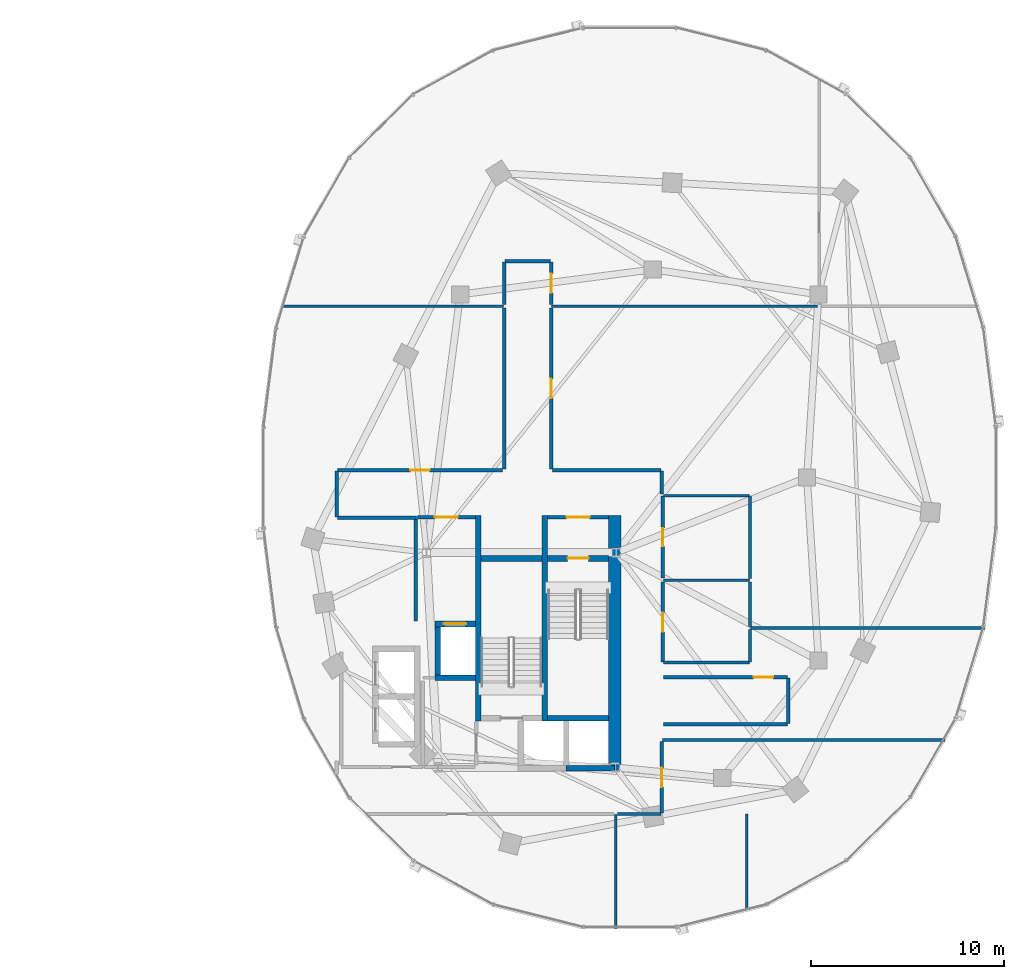
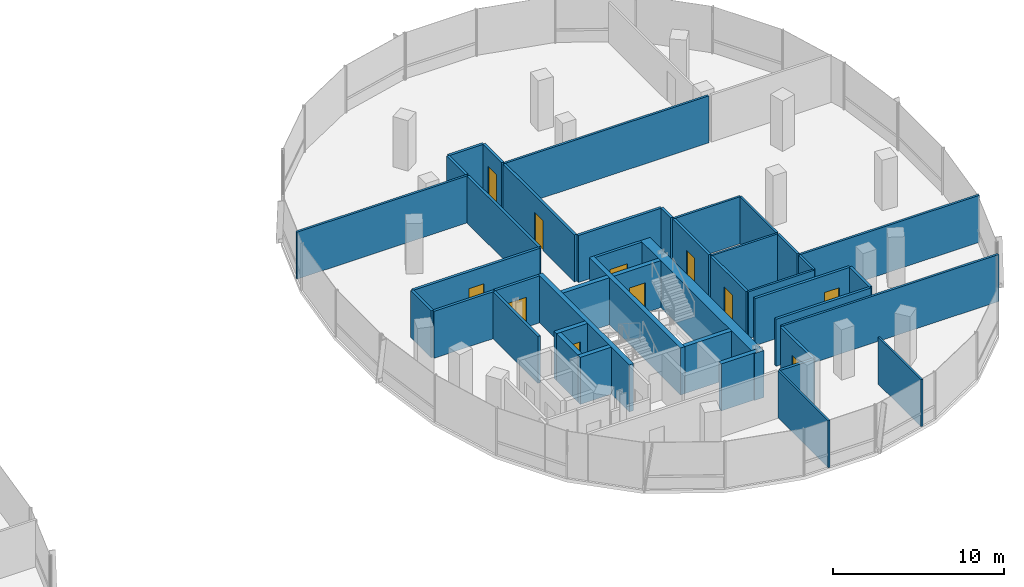
# One storey, part 14 of 22: 42 walls, 11 doors, 11 openings.
"""IFC4 building model written with IfcOpenShell, lengths in metres."""

from ifc_helpers import new_model, si_unit, direction, frame, frame_2d, origin, place, context, subcontext, project, spatial, rectangle, extrude, material, layer, layer_set, type_object, element, fill, save


model = new_model("IFC4")

# Units and contexts
model_context = context("Model", 3, precision=1e-05, world=origin(), true_north=direction((0.0, 1.0)))
body_context = subcontext(model_context, "Body", "Model", "MODEL_VIEW")
ifc_project = project(units=[si_unit("LENGTHUNIT", "METRE"), si_unit("AREAUNIT", "SQUARE_METRE"), si_unit("VOLUMEUNIT", "CUBIC_METRE"), si_unit("PLANEANGLEUNIT", "RADIAN"), si_unit("MASSUNIT", "GRAM", prefix="KILO"), si_unit("THERMODYNAMICTEMPERATUREUNIT", "KELVIN"), si_unit("POWERUNIT", "WATT")], contexts=[model_context])

# Site, building, storey
site_placement = place(None, origin())
site = spatial("IfcSite", under=ifc_project, at=site_placement, CompositionType="ELEMENT")
building_placement = place(site_placement, origin())
building = spatial("IfcBuilding", under=site, at=building_placement, Name="Cundina Bronze Exchange", CompositionType="ELEMENT")
storey_placement = place(building_placement, frame((0.0, 0.0, 165.60009765625)))
storey = spatial("IfcBuildingStorey", under=building, at=storey_placement, Name="L43", CompositionType="ELEMENT", Elevation=165.60009765625)

# Wall
ifc_material_1 = material(Name="Gypsum Fireboard Partition EI120")
ifc_layer_1 = layer(ifc_material_1, 0.179931640625, Name="Gypsum Fireboard Partition EI120")
ifc_layer_set_1 = layer_set([ifc_layer_1], Name="Gypsum Fireboard Partition EI120")
wall_type_1 = type_object("IfcWallType", Name="WL-COR-180", PredefinedType="PARTITIONING", material=ifc_layer_set_1)
wall_1_placement = place(storey_placement, frame((20.889892578125, -7.449951171875, 0.0), z_axis=(0.0, 0.0, 1.0), x_axis=(0.0, 1.0, 0.0)))
element("IfcWall", 1, at=wall_1_placement, inside=storey, type_object=wall_type_1, Name="L43 E Firefighting Lobby Side Wall", PredefinedType="PARTITIONING", context=body_context, shape_type="SweptSolid", body=[
    extrude(rectangle(XDim=5.300048828125, YDim=0.179931640625, at=frame_2d((2.64990234375, 0.0))), origin(), (0.0, 0.0, 1.0), 3.35986328125),
])

# Wall, opening, door
wall_2_placement = place(storey_placement, frame((20.97998046875, -2.06005859375, 0.0), z_axis=(0.0, 0.0, 1.0), x_axis=(1.0, 0.0, 0.0)))
wall_2 = element("IfcWall", 2, at=wall_2_placement, inside=storey, type_object=wall_type_1, Name="L43 E Firefighting Lobby Exit Wall", PredefinedType="PARTITIONING", context=body_context, shape_type="SweptSolid", body=[
    extrude(rectangle(XDim=3.0, YDim=0.179931640625, at=frame_2d((1.5, 0.0))), origin(), (0.0, 0.0, 1.0), 3.35986328125),
])
opening_1_placement = place(wall_2_placement, frame((0.89990234375, 0.0, 0.0)))
opening_1 = element("IfcOpeningElement", 3, at=opening_1_placement, cuts=wall_2, Name="Opening DF-01", PredefinedType="OPENING", context=body_context, shape_type="SweptSolid", body=[
    extrude(rectangle(XDim=1.199951171875, YDim=2.14990234375, at=frame_2d((0.60009765625, 1.074951171875))), frame((0.0, 0.099853515625, 0.0), z_axis=(0.0, -1.0, 0.0), x_axis=(1.0, 0.0, 0.0)), (0.0, 0.0, 1.0), 0.199951171875),
])
ifc_material_2 = material(Name="Steel ASTM A36 Painted", Category="steel")
door_type_1 = type_object("IfcDoorType", Name="DR-FFL-1200", OperationType="NOTDEFINED", PredefinedType="DOOR", material=ifc_material_2)
door_1_placement = place(opening_1_placement, origin())
door_1 = element("IfcDoor", 4, at=door_1_placement, inside=storey, type_object=door_type_1, Name="L43 E Firefighting Lobby Door", OperationType="SINGLE_SWING_LEFT", OverallHeight=2.14990234375, OverallWidth=1.199951171875, PredefinedType="DOOR", context=body_context, shape_type="SweptSolid", body=[
    extrude(rectangle(XDim=1.199951171875, YDim=2.14990234375, at=frame_2d((0.60009765625, 1.074951171875))), frame((0.0, 0.02490234375, 0.0), z_axis=(0.0, -1.0, 0.0), x_axis=(1.0, 0.0, 0.0)), (0.0, 0.0, 1.0), 0.050048828125),
])
fill(opening_1, door_1)

wall_3_placement = place(storey_placement, frame((27.739990234375, -2.06005859375, 0.0), z_axis=(0.0, 0.0, 1.0), x_axis=(1.0, 0.0, 0.0)))
wall_3 = element("IfcWall", 5, at=wall_3_placement, inside=storey, type_object=wall_type_1, Name="L43 E Stair Vestibule Exit Wall", PredefinedType="PARTITIONING", context=body_context, shape_type="SweptSolid", body=[
    extrude(rectangle(XDim=3.159912109375, YDim=0.179931640625, at=frame_2d((1.580078125, 0.0))), origin(), (0.0, 0.0, 1.0), 3.35986328125),
])
opening_2_placement = place(wall_3_placement, frame((0.97998046875, 0.0, 0.0)))
opening_2 = element("IfcOpeningElement", 6, at=opening_2_placement, cuts=wall_3, Name="Opening DF-01", PredefinedType="OPENING", context=body_context, shape_type="SweptSolid", body=[
    extrude(rectangle(XDim=1.199951171875, YDim=2.14990234375, at=frame_2d((0.60009765625, 1.074951171875))), frame((0.0, 0.099853515625, 0.0), z_axis=(0.0, -1.0, 0.0), x_axis=(1.0, 0.0, 0.0)), (0.0, 0.0, 1.0), 0.199951171875),
])
door_2_placement = place(opening_2_placement, origin())
door_2 = element("IfcDoor", 7, at=door_2_placement, inside=storey, type_object=door_type_1, Name="L43 E Stair Vestibule Door", OperationType="SINGLE_SWING_RIGHT", OverallHeight=2.14990234375, OverallWidth=1.199951171875, PredefinedType="DOOR", context=body_context, shape_type="SweptSolid", body=[
    extrude(rectangle(XDim=1.199951171875, YDim=2.14990234375, at=frame_2d((0.60009765625, 1.074951171875))), frame((0.0, 0.02490234375, 0.0), z_axis=(0.0, -1.0, 0.0), x_axis=(1.0, 0.0, 0.0)), (0.0, 0.0, 1.0), 0.050048828125),
])
fill(opening_2, door_2)

wall_4_placement = place(storey_placement, frame((33.719970703125, -5.22998046875, 0.0), z_axis=(0.0, 0.0, 1.0), x_axis=(0.0, 1.0, 0.0)))
wall_4 = element("IfcWall", 8, at=wall_4_placement, inside=storey, type_object=wall_type_1, Name="L43 Interior Partition 055", PredefinedType="PARTITIONING", context=body_context, shape_type="SweptSolid", body=[
    extrude(rectangle(XDim=4.260009765625, YDim=0.179931640625, at=frame_2d((2.1298828125, 0.0))), origin(), (0.0, 0.0, 1.0), 3.35986328125),
])
opening_3_placement = place(wall_4_placement, frame((1.655029296875, 0.0, 0.0)))
opening_3 = element("IfcOpeningElement", 9, at=opening_3_placement, cuts=wall_4, Name="Opening DW-01", PredefinedType="OPENING", context=body_context, shape_type="SweptSolid", body=[
    extrude(rectangle(XDim=0.949951171875, YDim=2.10009765625, at=frame_2d((0.47509765625, 1.050048828125))), frame((0.0, 0.099853515625, 0.0), z_axis=(0.0, -1.0, 0.0), x_axis=(1.0, 0.0, 0.0)), (0.0, 0.0, 1.0), 0.199951171875),
])
ifc_material_3 = material(Name="Solid Andean Oak Timber Grade A", Category="wood")
door_type_2 = type_object("IfcDoorType", Name="DR-WC-950", OperationType="NOTDEFINED", PredefinedType="DOOR", material=ifc_material_3)
door_3_placement = place(opening_3_placement, origin())
door_3 = element("IfcDoor", 10, at=door_3_placement, inside=storey, type_object=door_type_2, Name="L43 Interior Door 055", OperationType="SINGLE_SWING_LEFT", OverallHeight=2.10009765625, OverallWidth=0.949951171875, PredefinedType="DOOR", context=body_context, shape_type="SweptSolid", body=[
    extrude(rectangle(XDim=0.949951171875, YDim=2.10009765625, at=frame_2d((0.47509765625, 1.050048828125))), frame((0.0, 0.02490234375, 0.0), z_axis=(0.0, -1.0, 0.0), x_axis=(1.0, 0.0, 0.0)), (0.0, 0.0, 1.0), 0.050048828125),
])
fill(opening_3, door_3)

wall_5_placement = place(storey_placement, frame((33.719970703125, -9.590087890625, 0.0), z_axis=(0.0, 0.0, 1.0), x_axis=(0.0, 1.0, 0.0)))
wall_5 = element("IfcWall", 11, at=wall_5_placement, inside=storey, type_object=wall_type_1, Name="L43 Interior Partition 056", PredefinedType="PARTITIONING", context=body_context, shape_type="SweptSolid", body=[
    extrude(rectangle(XDim=4.16015625, YDim=0.179931640625, at=frame_2d((2.080078125, 0.0))), origin(), (0.0, 0.0, 1.0), 3.35986328125),
])
opening_4_placement = place(wall_5_placement, frame((1.580078125, 0.0, 0.0)))
opening_4 = element("IfcOpeningElement", 12, at=opening_4_placement, cuts=wall_5, Name="Opening DO-01", PredefinedType="OPENING", context=body_context, shape_type="SweptSolid", body=[
    extrude(rectangle(XDim=1.0, YDim=2.14990234375, at=frame_2d((0.5, 1.074951171875))), frame((0.0, 0.099853515625, 0.0), z_axis=(0.0, -1.0, 0.0), x_axis=(1.0, 0.0, 0.0)), (0.0, 0.0, 1.0), 0.199951171875),
])
door_type_3 = type_object("IfcDoorType", Name="DR-OFF-1000", OperationType="NOTDEFINED", PredefinedType="DOOR", material=ifc_material_3)
door_4_placement = place(opening_4_placement, origin())
door_4 = element("IfcDoor", 13, at=door_4_placement, inside=storey, type_object=door_type_3, Name="L43 Interior Door 056", OperationType="SINGLE_SWING_LEFT", OverallHeight=2.14990234375, OverallWidth=1.0, PredefinedType="DOOR", context=body_context, shape_type="SweptSolid", body=[
    extrude(rectangle(XDim=1.0, YDim=2.14990234375, at=frame_2d((0.5, 1.074951171875))), frame((0.0, 0.02490234375, 0.0), z_axis=(0.0, -1.0, 0.0), x_axis=(1.0, 0.0, 0.0)), (0.0, 0.0, 1.0), 0.050048828125),
])
fill(opening_4, door_4)

wall_6_placement = place(storey_placement, frame((33.669921875, -17.428466796875, 0.0), z_axis=(0.0, 0.0, 1.0), x_axis=(0.0, 1.0, 0.0)))
wall_6 = element("IfcWall", 14, at=wall_6_placement, inside=storey, type_object=wall_type_1, Name="L43 Interior Partition 065", PredefinedType="PARTITIONING", context=body_context, shape_type="SweptSolid", body=[
    extrude(rectangle(XDim=3.718505859375, YDim=0.179931640625, at=frame_2d((1.859375, 0.0))), origin(), (0.0, 0.0, 1.0), 3.35986328125),
])
opening_5_placement = place(wall_6_placement, frame((1.359130859375, 0.0, 0.0)))
opening_5 = element("IfcOpeningElement", 15, at=opening_5_placement, cuts=wall_6, Name="Opening DO-01", PredefinedType="OPENING", context=body_context, shape_type="SweptSolid", body=[
    extrude(rectangle(XDim=1.0, YDim=2.14990234375, at=frame_2d((0.5, 1.074951171875))), frame((0.0, 0.099853515625, 0.0), z_axis=(0.0, -1.0, 0.0), x_axis=(1.0, 0.0, 0.0)), (0.0, 0.0, 1.0), 0.199951171875),
])
door_5_placement = place(opening_5_placement, origin())
door_5 = element("IfcDoor", 16, at=door_5_placement, inside=storey, type_object=door_type_3, Name="L43 Interior Door 065", OperationType="SINGLE_SWING_RIGHT", OverallHeight=2.14990234375, OverallWidth=1.0, PredefinedType="DOOR", context=body_context, shape_type="SweptSolid", body=[
    extrude(rectangle(XDim=1.0, YDim=2.14990234375, at=frame_2d((0.5, 1.074951171875))), frame((0.0, 0.02490234375, 0.0), z_axis=(0.0, -1.0, 0.0), x_axis=(1.0, 0.0, 0.0)), (0.0, 0.0, 1.0), 0.050048828125),
])
fill(opening_5, door_5)

# Walls
wall_7_placement = place(storey_placement, frame((31.3701171875, -17.469970703125, 0.0), z_axis=(0.0, 0.0, 1.0), x_axis=(1.0, 0.0, 0.0)))
element("IfcWall", 17, at=wall_7_placement, inside=storey, type_object=wall_type_1, Name="L43 Interior Partition 066", PredefinedType="PARTITIONING", context=body_context, shape_type="SweptSolid", body=[
    extrude(rectangle(XDim=2.25830078125, YDim=0.179931640625, at=frame_2d((1.129150390625, 0.0))), origin(), (0.0, 0.0, 1.0), 3.35986328125),
])
wall_8_placement = place(storey_placement, frame((33.75, -12.820068359375, 0.0), z_axis=(0.0, 0.0, 1.0), x_axis=(1.0, 0.0, 0.0)))
element("IfcWall", 18, at=wall_8_placement, inside=storey, type_object=wall_type_1, Name="L43 Interior Partition 067", PredefinedType="PARTITIONING", context=body_context, shape_type="SweptSolid", body=[
    extrude(rectangle(XDim=6.428466796875, YDim=0.179931640625, at=frame_2d((3.21435546875, 0.0))), origin(), (0.0, 0.0, 1.0), 3.35986328125),
])

# Wall, opening, door
wall_9_placement = place(storey_placement, frame((40.178466796875, -10.3798828125, 0.0), z_axis=(0.0, 0.0, 1.0), x_axis=(-1.0, 0.0, 0.0)))
wall_9 = element("IfcWall", 19, at=wall_9_placement, inside=storey, type_object=wall_type_1, Name="L43 Interior Partition 068", PredefinedType="PARTITIONING", context=body_context, shape_type="SweptSolid", body=[
    extrude(rectangle(XDim=6.428466796875, YDim=0.179931640625, at=frame_2d((3.21435546875, 0.0))), origin(), (0.0, 0.0, 1.0), 3.35986328125),
])
opening_6_placement = place(wall_9_placement, frame((0.74267578125, 0.0, 0.0)))
opening_6 = element("IfcOpeningElement", 20, at=opening_6_placement, cuts=wall_9, Name="Opening DO-01", PredefinedType="OPENING", context=body_context, shape_type="SweptSolid", body=[
    extrude(rectangle(XDim=1.0, YDim=2.14990234375, at=frame_2d((0.5, 1.074951171875))), frame((0.0, 0.099853515625, 0.0), z_axis=(0.0, -1.0, 0.0), x_axis=(1.0, 0.0, 0.0)), (0.0, 0.0, 1.0), 0.199951171875),
])
door_6_placement = place(opening_6_placement, origin())
door_6 = element("IfcDoor", 21, at=door_6_placement, inside=storey, type_object=door_type_3, Name="L43 Interior Door 068", OperationType="SINGLE_SWING_LEFT", OverallHeight=2.14990234375, OverallWidth=1.0, PredefinedType="DOOR", context=body_context, shape_type="SweptSolid", body=[
    extrude(rectangle(XDim=1.0, YDim=2.14990234375, at=frame_2d((0.5, 1.074951171875))), frame((0.0, 0.02490234375, 0.0), z_axis=(0.0, -1.0, 0.0), x_axis=(1.0, 0.0, 0.0)), (0.0, 0.0, 1.0), 0.050048828125),
])
fill(opening_6, door_6)

# Wall
wall_10_placement = place(storey_placement, frame((40.219970703125, -12.778564453125, 0.0), z_axis=(0.0, 0.0, 1.0), x_axis=(0.0, 1.0, 0.0)))
element("IfcWall", 22, at=wall_10_placement, inside=storey, type_object=wall_type_1, Name="L43 Interior Partition 069", PredefinedType="PARTITIONING", context=body_context, shape_type="SweptSolid", body=[
    extrude(rectangle(XDim=2.357177734375, YDim=0.179931640625, at=frame_2d((1.1787109375, 0.0))), origin(), (0.0, 0.0, 1.0), 3.35986328125),
])

# Wall, opening, door
wall_11_placement = place(storey_placement, frame((25.39990234375, 0.3701171875, 0.0), z_axis=(0.0, 0.0, 1.0), x_axis=(-1.0, 0.0, 0.0)))
wall_11 = element("IfcWall", 23, at=wall_11_placement, inside=storey, type_object=wall_type_1, Name="L43 Interior Partition 070", PredefinedType="PARTITIONING", context=body_context, shape_type="SweptSolid", body=[
    extrude(rectangle(XDim=8.578369140625, YDim=0.179931640625, at=frame_2d((4.2890625, 0.0))), origin(), (0.0, 0.0, 1.0), 3.35986328125),
])
opening_7_placement = place(wall_11_placement, frame((3.789306640625, 0.0, 0.0)))
opening_7 = element("IfcOpeningElement", 24, at=opening_7_placement, cuts=wall_11, Name="Opening DO-01", PredefinedType="OPENING", context=body_context, shape_type="SweptSolid", body=[
    extrude(rectangle(XDim=1.0, YDim=2.14990234375, at=frame_2d((0.5, 1.074951171875))), frame((0.0, 0.099853515625, 0.0), z_axis=(0.0, -1.0, 0.0), x_axis=(1.0, 0.0, 0.0)), (0.0, 0.0, 1.0), 0.199951171875),
])
door_7_placement = place(opening_7_placement, origin())
door_7 = element("IfcDoor", 25, at=door_7_placement, inside=storey, type_object=door_type_3, Name="L43 Interior Door 070", OperationType="SINGLE_SWING_RIGHT", OverallHeight=2.14990234375, OverallWidth=1.0, PredefinedType="DOOR", context=body_context, shape_type="SweptSolid", body=[
    extrude(rectangle(XDim=1.0, YDim=2.14990234375, at=frame_2d((0.5, 1.074951171875))), frame((0.0, 0.02490234375, 0.0), z_axis=(0.0, -1.0, 0.0), x_axis=(1.0, 0.0, 0.0)), (0.0, 0.0, 1.0), 0.050048828125),
])
fill(opening_7, door_7)

# Walls
wall_12_placement = place(storey_placement, frame((25.47998046875, 8.800048828125, 0.0), z_axis=(0.0, 0.0, 1.0), x_axis=(0.0, -1.0, 0.0)))
element("IfcWall", 26, at=wall_12_placement, inside=storey, type_object=wall_type_1, Name="L43 Interior Partition 071", PredefinedType="PARTITIONING", context=body_context, shape_type="SweptSolid", body=[
    extrude(rectangle(XDim=8.35009765625, YDim=0.179931640625, at=frame_2d((4.175048828125, 0.0))), origin(), (0.0, 0.0, 1.0), 3.35986328125),
])
wall_13_placement = place(storey_placement, frame((16.821533203125, -2.10009765625, 0.0), z_axis=(0.0, 0.0, 1.0), x_axis=(1.0, 0.0, 0.0)))
element("IfcWall", 27, at=wall_13_placement, inside=storey, type_object=wall_type_1, Name="L43 Interior Partition 072", PredefinedType="PARTITIONING", context=body_context, shape_type="SweptSolid", body=[
    extrude(rectangle(XDim=4.098388671875, YDim=0.179931640625, at=frame_2d((2.04931640625, 0.0))), origin(), (0.0, 0.0, 1.0), 3.35986328125),
])
wall_14_placement = place(storey_placement, frame((16.780029296875, 0.32861328125, 0.0), z_axis=(0.0, 0.0, 1.0), x_axis=(0.0, -1.0, 0.0)))
element("IfcWall", 28, at=wall_14_placement, inside=storey, type_object=wall_type_1, Name="L43 Interior Partition 073", PredefinedType="PARTITIONING", context=body_context, shape_type="SweptSolid", body=[
    extrude(rectangle(XDim=2.38720703125, YDim=0.179931640625, at=frame_2d((1.193603515625, 0.0))), origin(), (0.0, 0.0, 1.0), 3.35986328125),
])

# Wall, opening, door
wall_15_placement = place(storey_placement, frame((27.919921875, 0.449951171875, 0.0), z_axis=(0.0, 0.0, 1.0), x_axis=(0.0, 1.0, 0.0)))
wall_15 = element("IfcWall", 29, at=wall_15_placement, inside=storey, type_object=wall_type_1, Name="L43 Interior Partition 075", PredefinedType="PARTITIONING", context=body_context, shape_type="SweptSolid", body=[
    extrude(rectangle(XDim=8.35009765625, YDim=0.179931640625, at=frame_2d((4.175048828125, 0.0))), origin(), (0.0, 0.0, 1.0), 3.35986328125),
])
opening_8_placement = place(wall_15_placement, frame((3.675048828125, 0.0, 0.0)))
opening_8 = element("IfcOpeningElement", 30, at=opening_8_placement, cuts=wall_15, Name="Opening DO-01", PredefinedType="OPENING", context=body_context, shape_type="SweptSolid", body=[
    extrude(rectangle(XDim=1.0, YDim=2.14990234375, at=frame_2d((0.5, 1.074951171875))), frame((0.0, 0.099853515625, 0.0), z_axis=(0.0, -1.0, 0.0), x_axis=(1.0, 0.0, 0.0)), (0.0, 0.0, 1.0), 0.199951171875),
])
door_8_placement = place(opening_8_placement, origin())
door_8 = element("IfcDoor", 31, at=door_8_placement, inside=storey, type_object=door_type_3, Name="L43 Interior Door 075", OperationType="SINGLE_SWING_RIGHT", OverallHeight=2.14990234375, OverallWidth=1.0, PredefinedType="DOOR", context=body_context, shape_type="SweptSolid", body=[
    extrude(rectangle(XDim=1.0, YDim=2.14990234375, at=frame_2d((0.5, 1.074951171875))), frame((0.0, 0.02490234375, 0.0), z_axis=(0.0, -1.0, 0.0), x_axis=(1.0, 0.0, 0.0)), (0.0, 0.0, 1.0), 0.050048828125),
])
fill(opening_8, door_8)

# Walls
wall_16_placement = place(storey_placement, frame((33.62841796875, 0.3701171875, 0.0), z_axis=(0.0, 0.0, 1.0), x_axis=(-1.0, 0.0, 0.0)))
element("IfcWall", 32, at=wall_16_placement, inside=storey, type_object=wall_type_1, Name="L43 Interior Partition 076", PredefinedType="PARTITIONING", context=body_context, shape_type="SweptSolid", body=[
    extrude(rectangle(XDim=5.62841796875, YDim=0.179931640625, at=frame_2d((2.814208984375, 0.0))), origin(), (0.0, 0.0, 1.0), 3.35986328125),
])
wall_17_placement = place(storey_placement, frame((33.669921875, -0.858642578125, 0.0), z_axis=(0.0, 0.0, 1.0), x_axis=(0.0, 1.0, 0.0)))
element("IfcWall", 33, at=wall_17_placement, inside=storey, type_object=wall_type_1, Name="L43 Interior Partition 077", PredefinedType="PARTITIONING", context=body_context, shape_type="SweptSolid", body=[
    extrude(rectangle(XDim=1.187255859375, YDim=0.179931640625, at=frame_2d((0.59375, 0.0))), origin(), (0.0, 0.0, 1.0), 3.35986328125),
])
wall_18_placement = place(storey_placement, frame((27.87841796875, 11.219970703125, 0.0), z_axis=(0.0, 0.0, 1.0), x_axis=(-1.0, 0.0, 0.0)))
element("IfcWall", 34, at=wall_18_placement, inside=storey, type_object=wall_type_1, Name="L43 Interior Partition 078", PredefinedType="PARTITIONING", context=body_context, shape_type="SweptSolid", body=[
    extrude(rectangle(XDim=2.35693359375, YDim=0.179931640625, at=frame_2d((1.178466796875, 0.0))), origin(), (0.0, 0.0, 1.0), 3.35986328125),
])
wall_19_placement = place(storey_placement, frame((25.47998046875, 11.178466796875, 0.0), z_axis=(0.0, 0.0, 1.0), x_axis=(0.0, -1.0, 0.0)))
element("IfcWall", 35, at=wall_19_placement, inside=storey, type_object=wall_type_1, Name="L43 Interior Partition 079", PredefinedType="PARTITIONING", context=body_context, shape_type="SweptSolid", body=[
    extrude(rectangle(XDim=2.198486328125, YDim=0.179931640625, at=frame_2d((1.09912109375, 0.0))), origin(), (0.0, 0.0, 1.0), 3.35986328125),
])

# Wall, opening, door
wall_20_placement = place(storey_placement, frame((27.919921875, 8.97998046875, 0.0), z_axis=(0.0, 0.0, 1.0), x_axis=(0.0, 1.0, 0.0)))
wall_20 = element("IfcWall", 36, at=wall_20_placement, inside=storey, type_object=wall_type_1, Name="L43 Interior Partition 080", PredefinedType="PARTITIONING", context=body_context, shape_type="SweptSolid", body=[
    extrude(rectangle(XDim=2.198486328125, YDim=0.179931640625, at=frame_2d((1.09912109375, 0.0))), origin(), (0.0, 0.0, 1.0), 3.35986328125),
])
opening_9_placement = place(wall_20_placement, frame((0.59912109375, 0.0, 0.0)))
opening_9 = element("IfcOpeningElement", 37, at=opening_9_placement, cuts=wall_20, Name="Opening DO-01", PredefinedType="OPENING", context=body_context, shape_type="SweptSolid", body=[
    extrude(rectangle(XDim=1.0, YDim=2.14990234375, at=frame_2d((0.5, 1.074951171875))), frame((0.0, 0.099853515625, 0.0), z_axis=(0.0, -1.0, 0.0), x_axis=(1.0, 0.0, 0.0)), (0.0, 0.0, 1.0), 0.199951171875),
])
door_9_placement = place(opening_9_placement, origin())
door_9 = element("IfcDoor", 38, at=door_9_placement, inside=storey, type_object=door_type_3, Name="L43 Interior Door 080", OperationType="SINGLE_SWING_RIGHT", OverallHeight=2.14990234375, OverallWidth=1.0, PredefinedType="DOOR", context=body_context, shape_type="SweptSolid", body=[
    extrude(rectangle(XDim=1.0, YDim=2.14990234375, at=frame_2d((0.5, 1.074951171875))), frame((0.0, 0.02490234375, 0.0), z_axis=(0.0, -1.0, 0.0), x_axis=(1.0, 0.0, 0.0)), (0.0, 0.0, 1.0), 0.050048828125),
])
fill(opening_9, door_9)

# Walls
ifc_material_4 = material(Name="Concrete C50/60", Category="concrete")
ifc_layer_2 = layer(ifc_material_4, 0.64990234375, Name="Concrete C50/60", Category="concrete")
ifc_layer_set_2 = layer_set([ifc_layer_2], Name="Concrete C50/60")
wall_type_2 = type_object("IfcWallType", Name="WL-CORE-650", PredefinedType="SHEAR", material=ifc_layer_set_2)
wall_21_placement = place(storey_placement, frame((31.22509765625, -15.300048828125, 0.0), z_axis=(0.0, 0.0, 1.0), x_axis=(0.0, 1.0, 0.0)))
element("IfcWall", 39, at=wall_21_placement, inside=storey, type_object=wall_type_2, Name="L43 E Primary Core Shear Spine Wall", PredefinedType="SHEAR", context=body_context, shape_type="SweptSolid", body=[
    extrude(rectangle(XDim=13.330078125, YDim=0.64990234375, at=frame_2d((6.6650390625, 0.0))), origin(), (0.0, 0.0, 1.0), 3.35986328125),
])
ifc_material_5 = material(Name="Gypsum Acoustic Partition EI60")
ifc_layer_3 = layer(ifc_material_5, 0.125, Name="Gypsum Acoustic Partition EI60")
ifc_layer_set_3 = layer_set([ifc_layer_3], Name="Gypsum Acoustic Partition EI60")
wall_type_3 = type_object("IfcWallType", Name="WL-OFF-125", PredefinedType="PARTITIONING", material=ifc_layer_set_3)
wall_22_placement = place(storey_placement, frame((31.280029296875, -23.402099609375, 0.0), z_axis=(0.0, 0.0, 1.0), x_axis=(0.0, 1.0, 0.0)))
element("IfcWall", 40, at=wall_22_placement, inside=storey, type_object=wall_type_3, Name="L43 Interior Partition 062", PredefinedType="PARTITIONING", context=body_context, shape_type="SweptSolid", body=[
    extrude(rectangle(XDim=5.902099609375, YDim=0.125, at=frame_2d((2.951171875, 0.0))), origin(), (0.0, 0.0, 1.0), 3.35986328125),
])
wall_23_placement = place(storey_placement, frame((38.080078125, -22.4912109375, 0.0), z_axis=(0.0, 0.0, 1.0), x_axis=(0.0, 1.0, 0.0)))
element("IfcWall", 41, at=wall_23_placement, inside=storey, type_object=wall_type_3, Name="L43 Interior Partition 063", PredefinedType="PARTITIONING", context=body_context, shape_type="SweptSolid", body=[
    extrude(rectangle(XDim=5.021240234375, YDim=0.125, at=frame_2d((2.5107421875, 0.0))), origin(), (0.0, 0.0, 1.0), 3.35986328125),
])
ifc_layer_4 = layer(ifc_material_4, 0.300048828125, Name="Concrete C50/60", Category="concrete")
ifc_layer_set_4 = layer_set([ifc_layer_4], Name="Concrete C50/60")
wall_type_4 = type_object("IfcWallType", Name="WL-SHFT-300", PredefinedType="SHEAR", material=ifc_layer_set_4)
for number, where, z_axis, x_axis, name in (
    (42, (27.590087890625, -12.64990234375, 0.0), (0.0, 0.0, 1.0), (0.0, 1.0, 0.0), "L43 E Stair Shaft Dividing Shear Wall"),
    (43, (24.1298828125, -12.64990234375, 0.0), (0.0, 0.0, 1.0), (0.0, 1.0, 0.0), "L43 E Stair 2 East Shear Wall"),
):
    element("IfcWall", number, at=place(storey_placement, frame(where, z_axis=z_axis, x_axis=x_axis)), inside=storey, type_object=wall_type_4, Name=name, PredefinedType="SHEAR", context=body_context, shape_type="SweptSolid", body=[
        extrude(rectangle(XDim=10.679931640625, YDim=0.300048828125, at=frame_2d((5.33984375, 0.0))), origin(), (0.0, 0.0, 1.0), 3.35986328125),
    ])

# Wall, opening, door
wall_24_placement = place(storey_placement, frame((27.739990234375, -4.199951171875, 0.0), z_axis=(0.0, 0.0, 1.0), x_axis=(1.0, 0.0, 0.0)))
wall_24 = element("IfcWall", 44, at=wall_24_placement, inside=storey, type_object=wall_type_4, Name="L43 Stair E1 Landing Wall", PredefinedType="SHEAR", context=body_context, shape_type="SweptSolid", body=[
    extrude(rectangle(XDim=3.159912109375, YDim=0.300048828125, at=frame_2d((1.580078125, 0.0))), origin(), (0.0, 0.0, 1.0), 3.35986328125),
])
opening_10_placement = place(wall_24_placement, frame((1.030029296875, 0.0, 0.0)))
opening_10 = element("IfcOpeningElement", 45, at=opening_10_placement, cuts=wall_24, Name="Opening DS-01", PredefinedType="OPENING", context=body_context, shape_type="SweptSolid", body=[
    extrude(rectangle(XDim=1.10009765625, YDim=2.14990234375, at=frame_2d((0.550048828125, 1.074951171875))), frame((0.0, 0.159912109375, 0.0), z_axis=(0.0, -1.0, 0.0), x_axis=(1.0, 0.0, 0.0)), (0.0, 0.0, 1.0), 0.320068359375),
])
door_type_4 = type_object("IfcDoorType", Name="DR-STR-1100", OperationType="NOTDEFINED", PredefinedType="DOOR", material=ifc_material_2)
door_10_placement = place(opening_10_placement, origin())
door_10 = element("IfcDoor", 46, at=door_10_placement, inside=storey, type_object=door_type_4, Name="L43 Smokeproof Stair E1 Door", OperationType="SINGLE_SWING_LEFT", OverallHeight=2.14990234375, OverallWidth=1.10009765625, PredefinedType="DOOR", context=body_context, shape_type="SweptSolid", body=[
    extrude(rectangle(XDim=1.10009765625, YDim=2.14990234375, at=frame_2d((0.550048828125, 1.074951171875))), frame((0.0, 0.02490234375, 0.0), z_axis=(0.0, -1.0, 0.0), x_axis=(1.0, 0.0, 0.0)), (0.0, 0.0, 1.0), 0.050048828125),
])
fill(opening_10, door_10)

# Walls
for number, where, z_axis, x_axis, name in (
    (47, (27.739990234375, -12.5, 0.0), (0.0, 0.0, 1.0), (1.0, 0.0, 0.0), "L43 Stair E1 Far Shaft Wall"),
    (48, (24.280029296875, -4.199951171875, 0.0), (0.0, 0.0, 1.0), (1.0, 0.0, 0.0), "L43 Stair E2 Far Shaft Wall"),
):
    element("IfcWall", number, at=place(storey_placement, frame(where, z_axis=z_axis, x_axis=x_axis)), inside=storey, type_object=wall_type_4, Name=name, PredefinedType="SHEAR", context=body_context, shape_type="SweptSolid", body=[
        extrude(rectangle(XDim=3.159912109375, YDim=0.300048828125, at=frame_2d((1.580078125, 0.0))), origin(), (0.0, 0.0, 1.0), 3.35986328125),
    ])

# Wall, opening, door
wall_25_placement = place(storey_placement, frame((21.8798828125, -7.60009765625, 0.0), z_axis=(0.0, 0.0, 1.0), x_axis=(1.0, 0.0, 0.0)))
wall_25 = element("IfcWall", 49, at=wall_25_placement, inside=storey, type_object=wall_type_4, Name="L43 FFL-E Hoistway Front Wall", PredefinedType="SHEAR", context=body_context, shape_type="SweptSolid", body=[
    extrude(rectangle(XDim=2.10009765625, YDim=0.300048828125, at=frame_2d((1.050048828125, 0.0))), origin(), (0.0, 0.0, 1.0), 3.35986328125),
])
opening_11_placement = place(wall_25_placement, frame((0.47509765625, 0.0, 0.0)))
opening_11 = element("IfcOpeningElement", 50, at=opening_11_placement, cuts=wall_25, Name="Opening LD-01", PredefinedType="OPENING", context=body_context, shape_type="SweptSolid", body=[
    extrude(rectangle(XDim=1.14990234375, YDim=2.199951171875, at=frame_2d((0.574951171875, 1.10009765625))), frame((0.0, 0.159912109375, 0.0), z_axis=(0.0, -1.0, 0.0), x_axis=(1.0, 0.0, 0.0)), (0.0, 0.0, 1.0), 0.320068359375),
])
door_type_5 = type_object("IfcDoorType", Name="DR-LND-1150", OperationType="NOTDEFINED", PredefinedType="TRAPDOOR", material=ifc_material_2)
door_11_placement = place(opening_11_placement, origin())
door_11 = element("IfcDoor", 51, at=door_11_placement, inside=storey, type_object=door_type_5, Name="L43 FFL-E Sliding Landing Door", OperationType="SLIDING_TO_LEFT", OverallHeight=2.199951171875, OverallWidth=1.14990234375, PredefinedType="TRAPDOOR", context=body_context, shape_type="SweptSolid", body=[
    extrude(rectangle(XDim=1.14990234375, YDim=2.199951171875, at=frame_2d((0.574951171875, 1.10009765625))), frame((0.0, 0.02490234375, 0.0), z_axis=(0.0, -1.0, 0.0), x_axis=(1.0, 0.0, 0.0)), (0.0, 0.0, 1.0), 0.050048828125),
])
fill(opening_11, door_11)

# Walls
wall_26_placement = place(storey_placement, frame((21.8798828125, -10.39990234375, 0.0), z_axis=(0.0, 0.0, 1.0), x_axis=(1.0, 0.0, 0.0)))
element("IfcWall", 52, at=wall_26_placement, inside=storey, type_object=wall_type_4, Name="L43 FFL-E Hoistway Back Wall", PredefinedType="SHEAR", context=body_context, shape_type="SweptSolid", body=[
    extrude(rectangle(XDim=2.10009765625, YDim=0.300048828125, at=frame_2d((1.050048828125, 0.0))), origin(), (0.0, 0.0, 1.0), 3.35986328125),
])
for number, where, z_axis, x_axis, name in (
    (53, (22.030029296875, -10.25, 0.0), (0.0, 0.0, 1.0), (0.0, 1.0, 0.0), "L43 FFL-E Hoistway Side Wall"),
    (54, (28.699951171875, -15.10009765625, 0.0), (0.0, 0.0, 1.0), (1.0, 0.0, 0.0), "L43 PH-E1 Hoistway Front Wall"),
):
    element("IfcWall", number, at=place(storey_placement, frame(where, z_axis=z_axis, x_axis=x_axis)), inside=storey, type_object=wall_type_4, Name=name, PredefinedType="SHEAR", context=body_context, shape_type="SweptSolid", body=[
        extrude(rectangle(XDim=2.5, YDim=0.300048828125, at=frame_2d((1.25, 0.0))), origin(), (0.0, 0.0, 1.0), 3.35986328125),
    ])
ifc_layer_5 = layer(ifc_material_5, 0.14990234375, Name="Gypsum Acoustic Partition EI60")
ifc_layer_set_5 = layer_set([ifc_layer_5], Name="Gypsum Acoustic Partition EI60")
wall_type_5 = type_object("IfcWallType", Name="WL-TEN-150", PredefinedType="PARTITIONING", material=ifc_layer_set_5)
wall_27_placement = place(storey_placement, frame((13.918212890625, 8.889892578125, 0.0), z_axis=(0.0, 0.0, 1.0), x_axis=(1.0, 0.0, 0.0)))
element("IfcWall", 55, at=wall_27_placement, inside=storey, type_object=wall_type_5, Name="L43 Interior Partition 057", PredefinedType="PARTITIONING", context=body_context, shape_type="SweptSolid", body=[
    extrude(rectangle(XDim=11.53173828125, YDim=0.14990234375, at=frame_2d((5.765869140625, 0.0))), origin(), (0.0, 0.0, 1.0), 3.35986328125),
])
wall_28_placement = place(storey_placement, frame((27.949951171875, 8.889892578125, 0.0), z_axis=(0.0, 0.0, 1.0), x_axis=(1.0, 0.0, 0.0)))
element("IfcWall", 56, at=wall_28_placement, inside=storey, type_object=wall_type_5, Name="L43 Interior Partition 058", PredefinedType="PARTITIONING", context=body_context, shape_type="SweptSolid", body=[
    extrude(rectangle(XDim=13.795166015625, YDim=0.14990234375, at=frame_2d((6.8974609375, 0.0))), origin(), (0.0, 0.0, 1.0), 3.35986328125),
])
wall_29_placement = place(storey_placement, frame((38.27001953125, -7.820068359375, 0.0), z_axis=(0.0, 0.0, 1.0), x_axis=(1.0, 0.0, 0.0)))
element("IfcWall", 57, at=wall_29_placement, inside=storey, type_object=wall_type_5, Name="L43 Interior Partition 060", PredefinedType="PARTITIONING", context=body_context, shape_type="SweptSolid", body=[
    extrude(rectangle(XDim=12.135986328125, YDim=0.14990234375, at=frame_2d((6.06787109375, 0.0))), origin(), (0.0, 0.0, 1.0), 3.35986328125),
])
wall_30_placement = place(storey_placement, frame((33.699951171875, -13.6201171875, 0.0), z_axis=(0.0, 0.0, 1.0), x_axis=(1.0, 0.0, 0.0)))
element("IfcWall", 58, at=wall_30_placement, inside=storey, type_object=wall_type_5, Name="L43 Interior Partition 061", PredefinedType="PARTITIONING", context=body_context, shape_type="SweptSolid", body=[
    extrude(rectangle(XDim=14.65576171875, YDim=0.14990234375, at=frame_2d((7.327880859375, 0.0))), origin(), (0.0, 0.0, 1.0), 3.35986328125),
])
ifc_material_6 = material(Name="Moisture-Resistant Masonry Block Grade M15", Category="masonry")
ifc_layer_6 = layer(ifc_material_6, 0.139892578125, Name="Moisture-Resistant Masonry Block Grade M15", Category="masonry")
ifc_layer_set_6 = layer_set([ifc_layer_6], Name="Moisture-Resistant Masonry Block Grade M15")
wall_type_6 = type_object("IfcWallType", Name="WL-WET-140", PredefinedType="PARTITIONING", material=ifc_layer_set_6)
wall_31_placement = place(storey_placement, frame((38.239990234375, -9.590087890625, 0.0), z_axis=(0.0, 0.0, 1.0), x_axis=(0.0, 1.0, 0.0)))
element("IfcWall", 59, at=wall_31_placement, inside=storey, type_object=wall_type_6, Name="L43 Interior Partition 049", PredefinedType="PARTITIONING", context=body_context, shape_type="SweptSolid", body=[
    extrude(rectangle(XDim=1.68505859375, YDim=0.139892578125, at=frame_2d((0.842529296875, 0.0))), origin(), (0.0, 0.0, 1.0), 3.35986328125),
])
wall_32_placement = place(storey_placement, frame((38.239990234375, -7.735107421875, 0.0), z_axis=(0.0, 0.0, 1.0), x_axis=(0.0, 1.0, 0.0)))
element("IfcWall", 60, at=wall_32_placement, inside=storey, type_object=wall_type_6, Name="L43 Interior Partition 050", PredefinedType="PARTITIONING", context=body_context, shape_type="SweptSolid", body=[
    extrude(rectangle(XDim=2.320068359375, YDim=0.139892578125, at=frame_2d((1.16015625, 0.0))), origin(), (0.0, 0.0, 1.0), 3.35986328125),
])
wall_33_placement = place(storey_placement, frame((38.239990234375, -5.2451171875, 0.0), z_axis=(0.0, 0.0, 1.0), x_axis=(0.0, 1.0, 0.0)))
element("IfcWall", 61, at=wall_33_placement, inside=storey, type_object=wall_type_6, Name="L43 Interior Partition 051", PredefinedType="PARTITIONING", context=body_context, shape_type="SweptSolid", body=[
    extrude(rectangle(XDim=4.275146484375, YDim=0.139892578125, at=frame_2d((2.1376953125, 0.0))), origin(), (0.0, 0.0, 1.0), 3.35986328125),
])
for number, where, z_axis, x_axis, name in (
    (62, (33.739990234375, -0.949951171875, 0.0), (0.0, 0.0, 1.0), (1.0, 0.0, 0.0), "L43 Interior Partition 052"),
    (63, (33.739990234375, -5.330078125, 0.0), (0.0, 0.0, 1.0), (1.0, 0.0, 0.0), "L43 Interior Partition 053"),
    (64, (33.739990234375, -9.610107421875, 0.0), (0.0, 0.0, 1.0), (1.0, 0.0, 0.0), "L43 Interior Partition 054"),
):
    element("IfcWall", number, at=place(storey_placement, frame(where, z_axis=z_axis, x_axis=x_axis)), inside=storey, type_object=wall_type_6, Name=name, PredefinedType="PARTITIONING", context=body_context, shape_type="SweptSolid", body=[
        extrude(rectangle(XDim=4.47998046875, YDim=0.139892578125, at=frame_2d((2.239990234375, 0.0))), origin(), (0.0, 0.0, 1.0), 3.35986328125),
    ])

save(model, "model.ifc")
